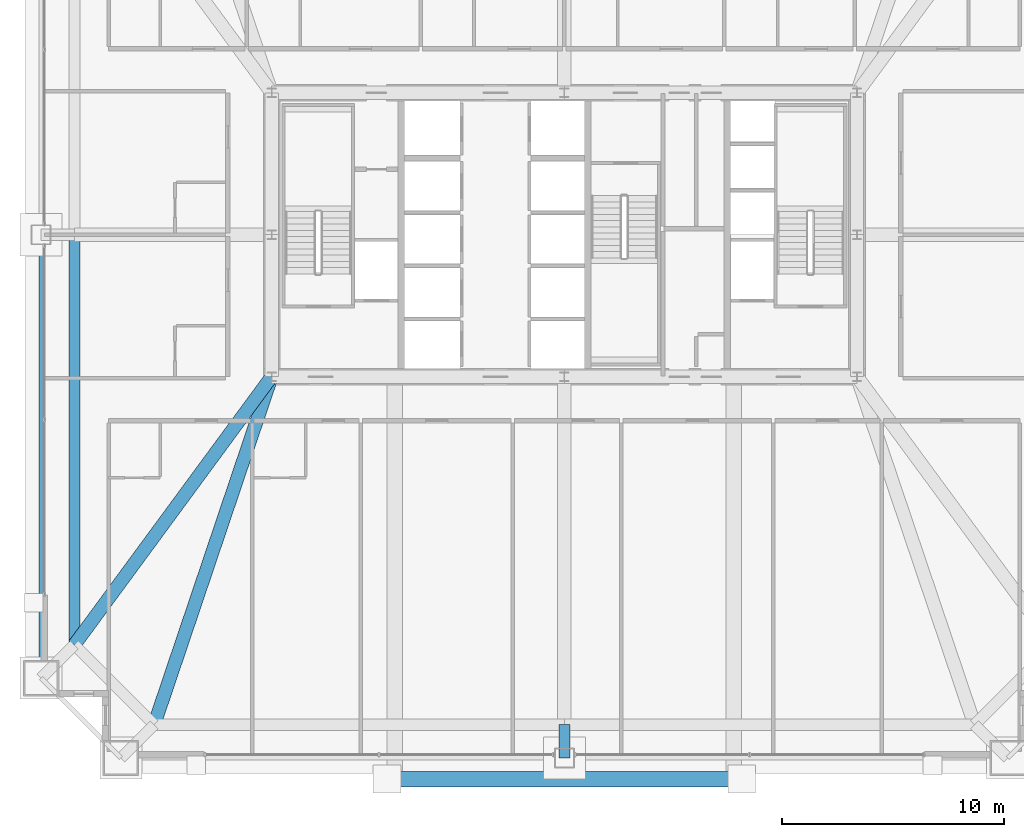
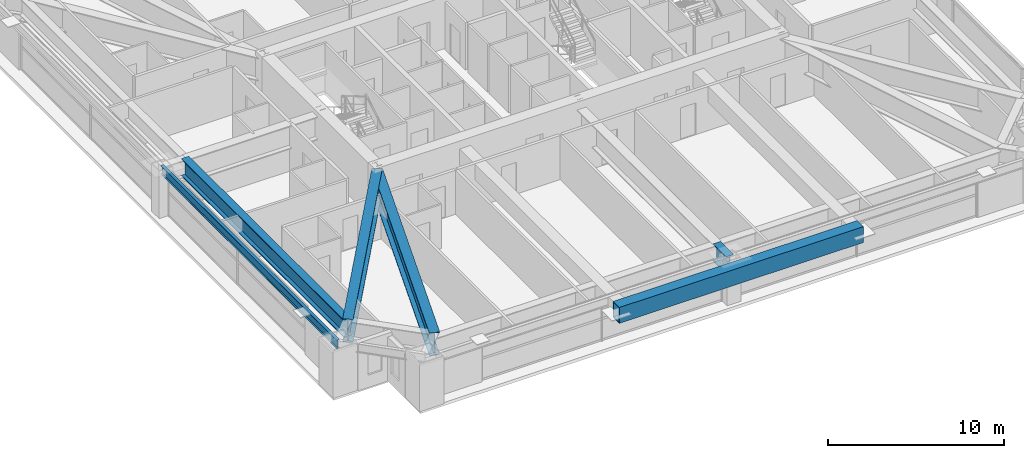
# One storey, part 9 of 45: 6 beams.
"""IFC4 building model written with IfcOpenShell, lengths in metres."""

from ifc_helpers import new_model, si_unit, direction, frame, origin, origin_2d, place, context, subcontext, project, spatial, hollow_rectangle, i_section, extrude, source, transform, mapped, material, material_profile, profile_set, type_object, element, save


model = new_model("IFC4")

# Units and contexts
model_context = context("Model", 3, precision=1e-05, world=origin(), true_north=direction((0.0, 1.0)))
body_context = subcontext(model_context, "Body", "Model", "MODEL_VIEW")
ifc_project = project(units=[si_unit("LENGTHUNIT", "METRE"), si_unit("AREAUNIT", "SQUARE_METRE"), si_unit("VOLUMEUNIT", "CUBIC_METRE"), si_unit("PLANEANGLEUNIT", "RADIAN"), si_unit("MASSUNIT", "GRAM", prefix="KILO"), si_unit("THERMODYNAMICTEMPERATUREUNIT", "KELVIN"), si_unit("POWERUNIT", "WATT")], contexts=[model_context])

# Site, building, storey
site_placement = place(None, origin())
site = spatial("IfcSite", under=ifc_project, at=site_placement, CompositionType="ELEMENT")
building_placement = place(site_placement, origin())
building = spatial("IfcBuilding", under=site, at=building_placement, Name="Yuzanri Waterfront Tower", CompositionType="ELEMENT")
storey_placement = place(building_placement, frame((0.0, 0.0, 163.199951171875)))
storey = spatial("IfcBuildingStorey", under=building, at=storey_placement, Name="L43", CompositionType="ELEMENT", Elevation=163.199951171875)

# Beams
ifc_material_1 = material(Name="Steel Q420GJC", Category="steel")
ifc_material_profile_1 = material_profile(ifc_material_1, i_section(OverallWidth=0.5, OverallDepth=1.199951171875, WebThickness=0.028076171875, FlangeThickness=0.050048828125, at=origin_2d()), Name="PG 1200x500x28x50")
ifc_profile_set_1 = profile_set([ifc_material_profile_1], Name="Steel Q420GJC")
beam_type_1 = type_object("IfcBeamType", Name="Setback Transfer Girder Q420GJC PG 1200x500", PredefinedType="USERDEFINED", material=ifc_profile_set_1)
shared_shape_1 = source(origin(), body_context, "Body", "SweptSolid", [
    extrude(i_section(OverallWidth=0.5, OverallDepth=1.199951171875, WebThickness=0.028076171875, FlangeThickness=0.050048828125, at=origin_2d()), origin(), (0.0, 0.0, 1.0), 1.5),
])
beam_1_placement = place(storey_placement, frame((37.0, 3.699951171875, 2.449951171875), z_axis=(0.0, -1.0, 0.0), x_axis=(1.0, 0.0, 0.0)))
element("IfcBeam", 1, at=beam_1_placement, inside=storey, type_object=beam_type_1, Name="L43 Setback Step Transfer S2", ObjectType="GIRDER", PredefinedType="USERDEFINED", context=body_context, shape_type="MappedRepresentation", body=[
    mapped(shared_shape_1, transform((0.0, 0.0, 0.0), scale=1.0)),
])
ifc_material_2 = material(Name="Steel Q355B", Category="steel")
ifc_material_profile_2 = material_profile(ifc_material_2, i_section(OverallWidth=0.199951171875, OverallDepth=0.60009765625, WebThickness=0.010986328125, FlangeThickness=0.01708984375, at=origin_2d()), Name="HN 600x200x11x17")
ifc_profile_set_2 = profile_set([ifc_material_profile_2], Name="Steel Q355B")
beam_type_2 = type_object("IfcBeamType", Name="Perimeter Spandrel Q355B HN 600x200", PredefinedType="SPANDREL", material=ifc_profile_set_2)
shared_shape_2 = source(origin(), body_context, "Body", "SweptSolid", [
    extrude(i_section(OverallWidth=0.199951171875, OverallDepth=0.60009765625, WebThickness=0.010986328125, FlangeThickness=0.01708984375, at=origin_2d()), origin(), (0.0, 0.0, 1.0), 20.0),
])
beam_2_placement = place(storey_placement, frame((13.39990234375, 25.800048828125, 3.0), z_axis=(0.0, -1.0, 0.0), x_axis=(1.0, 0.0, 0.0)))
element("IfcBeam", 2, at=beam_2_placement, inside=storey, type_object=beam_type_2, Name="L43 Perimeter Spandrel W2-W1", PredefinedType="SPANDREL", context=body_context, shape_type="MappedRepresentation", body=[
    mapped(shared_shape_2, transform((0.0, 0.0, 0.0), scale=1.0)),
])
ifc_material_3 = material(Name="Steel Q420GJC", Category="steel")
ifc_material_profile_3 = material_profile(ifc_material_3, i_section(OverallWidth=0.60009765625, OverallDepth=1.60009765625, WebThickness=0.031982421875, FlangeThickness=0.06005859375, at=origin_2d()), Name="PG 1600x600x32x60")
ifc_profile_set_3 = profile_set([ifc_material_profile_3], Name="Steel Q420GJC")
beam_type_3 = type_object("IfcBeamType", Name="Ballroom Transfer Girder Q420GJC PG 1600x600", PredefinedType="USERDEFINED", material=ifc_profile_set_3)
shared_shape_3 = source(origin(), body_context, "Body", "SweptSolid", [
    extrude(i_section(OverallWidth=0.60009765625, OverallDepth=1.60009765625, WebThickness=0.031982421875, FlangeThickness=0.06005859375, at=origin_2d()), origin(), (0.0, 0.0, 1.0), 16.5703125),
])
beam_3_placement = place(storey_placement, frame((23.800048828125, 19.39990234375, 2.5), z_axis=(-0.319849903127, -0.9474682261, 0.0), x_axis=(0.9474682261, -0.319849903127, 0.0)))
element("IfcBeam", 3, at=beam_3_placement, inside=storey, type_object=beam_type_3, Name="L43 Setback Inner Transfer S1", ObjectType="GIRDER", PredefinedType="USERDEFINED", context=body_context, shape_type="MappedRepresentation", body=[
    mapped(shared_shape_3, transform((0.0, 0.0, 0.0), scale=1.0)),
])
shared_shape_4 = source(origin(), body_context, "Body", "SweptSolid", [
    extrude(i_section(OverallWidth=0.60009765625, OverallDepth=1.60009765625, WebThickness=0.031982421875, FlangeThickness=0.06005859375, at=origin_2d()), origin(), (0.0, 0.0, 1.0), 15.0205078125),
])
beam_4_placement = place(storey_placement, frame((23.800048828125, 19.39990234375, 2.5), z_axis=(-0.592528520628, -0.80554947225, 0.0), x_axis=(0.80554947225, -0.592528520628, 0.0)))
element("IfcBeam", 4, at=beam_4_placement, inside=storey, type_object=beam_type_3, Name="L43 Setback Inner Transfer W1", ObjectType="GIRDER", PredefinedType="USERDEFINED", context=body_context, shape_type="MappedRepresentation", body=[
    mapped(shared_shape_4, transform((0.0, 0.0, 0.0), scale=1.0)),
])
shared_shape_5 = source(origin(), body_context, "Body", "SweptSolid", [
    extrude(i_section(OverallWidth=0.5, OverallDepth=1.199951171875, WebThickness=0.028076171875, FlangeThickness=0.050048828125, at=origin_2d()), origin(), (0.0, 0.0, 1.0), 18.5),
])
beam_5_placement = place(storey_placement, frame((14.89990234375, 25.800048828125, 2.699951171875), z_axis=(0.0, -1.0, 0.0), x_axis=(1.0, 0.0, 0.0)))
element("IfcBeam", 5, at=beam_5_placement, inside=storey, type_object=beam_type_1, Name="L43 Setback Upper Ring W2-W1", ObjectType="GIRDER", PredefinedType="USERDEFINED", context=body_context, shape_type="MappedRepresentation", body=[
    mapped(shared_shape_5, transform((0.0, 0.0, 0.0), scale=1.0)),
])
ifc_material_4 = material(Name="Steel Q420GJC", Category="steel")
ifc_material_profile_4 = material_profile(ifc_material_4, hollow_rectangle(XDim=0.699951171875, YDim=1.10009765625, WallThickness=0.050048828125, at=origin_2d()), Name="RHS 1100x700x50")
ifc_profile_set_4 = profile_set([ifc_material_profile_4], Name="Steel Q420GJC")
beam_type_4 = type_object("IfcBeamType", Name="Sky Pool Cantilever Girder Q420GJC RHS 1100x700", PredefinedType="USERDEFINED", material=ifc_profile_set_4)
shared_shape_6 = source(origin(), body_context, "Body", "SweptSolid", [
    extrude(hollow_rectangle(XDim=0.699951171875, YDim=1.10009765625, WallThickness=0.050048828125, at=origin_2d()), origin(), (0.0, 0.0, 1.0), 16.0),
])
beam_6_placement = place(storey_placement, frame((29.0, 1.25, 2.5), z_axis=(1.0, 0.0, 0.0), x_axis=(0.0, 1.0, 0.0)))
element("IfcBeam", 6, at=beam_6_placement, inside=storey, type_object=beam_type_4, Name="L44 Sky-Pool Outer Edge Ring Beam", ObjectType="GIRDER", PredefinedType="USERDEFINED", context=body_context, shape_type="MappedRepresentation", body=[
    mapped(shared_shape_6, transform((0.0, 0.0, 0.0), scale=1.0)),
])

save(model, "model.ifc")
